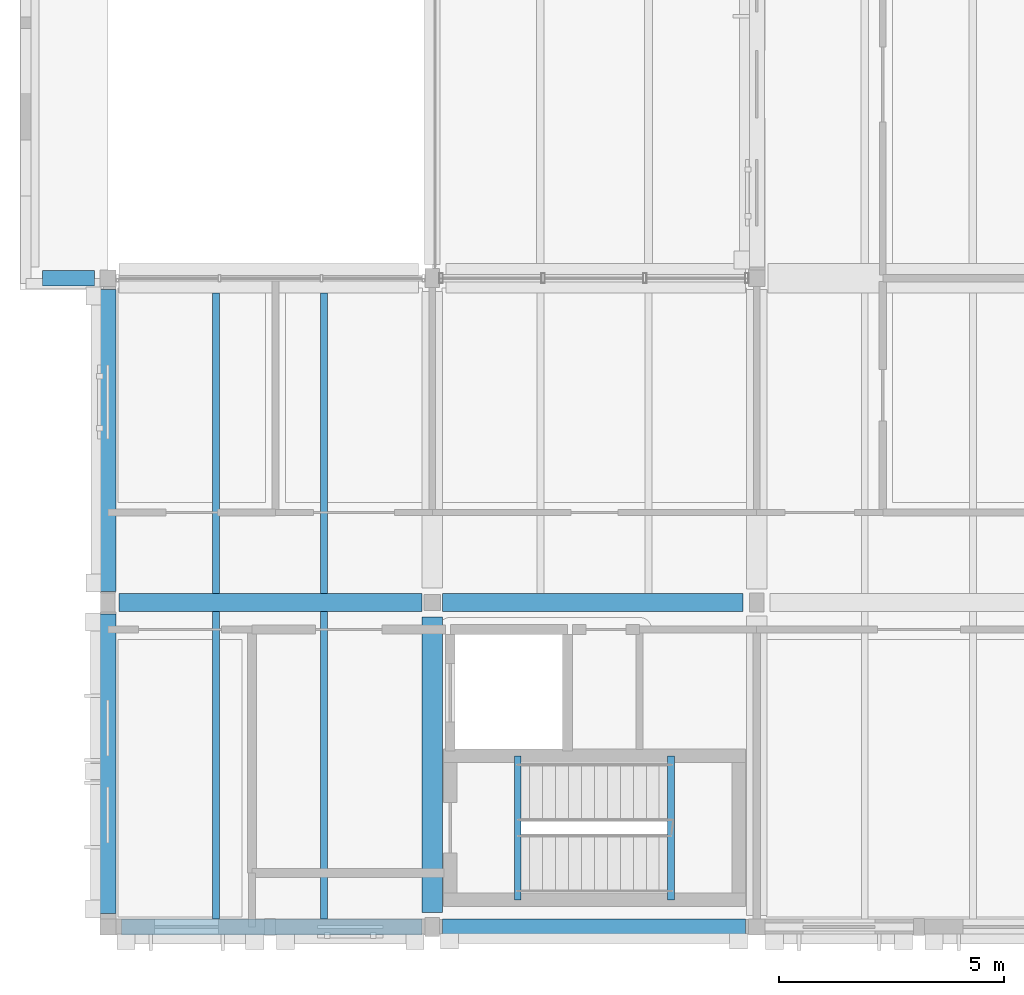
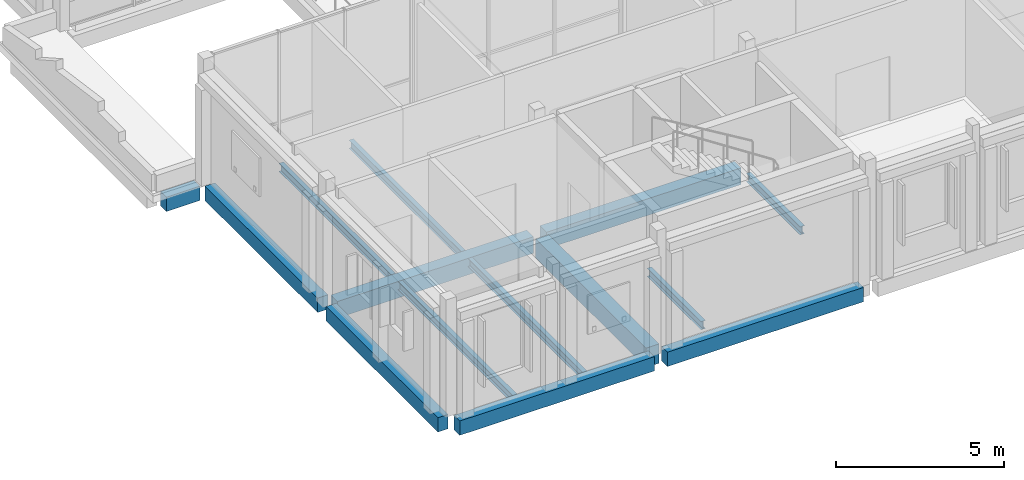
# One storey, part 15 of 146: 14 beams.
"""IFC4 building model written with IfcOpenShell, lengths in metres."""

from ifc_helpers import new_model, si_unit, direction, frame, origin, origin_2d, place, context, subcontext, project, spatial, rectangle, i_section, extrude, material, material_profile, profile_set, type_object, element, save


model = new_model("IFC4")

# Units and contexts
model_context = context("Model", 3, precision=1e-05, world=origin(), true_north=direction((0.0, 1.0)))
body_context = subcontext(model_context, "Body", "Model", "MODEL_VIEW")
ifc_project = project(units=[si_unit("LENGTHUNIT", "METRE"), si_unit("AREAUNIT", "SQUARE_METRE"), si_unit("VOLUMEUNIT", "CUBIC_METRE"), si_unit("PLANEANGLEUNIT", "RADIAN"), si_unit("MASSUNIT", "GRAM", prefix="KILO")], contexts=[model_context])

# Site, building, storey
site_placement = place(None, origin())
site = spatial("IfcSite", under=ifc_project, at=site_placement, CompositionType="ELEMENT")
building_placement = place(site_placement, origin())
building = spatial("IfcBuilding", under=site, at=building_placement, Name="Hawrajan Terrace Health Centre", CompositionType="ELEMENT")
storey_placement = place(building_placement, frame((0.0, 0.0, 4.5)))
storey = spatial("IfcBuildingStorey", under=building, at=storey_placement, Name="L01", CompositionType="ELEMENT", Elevation=4.5)

# Beams
ifc_material_1 = material(Name="Concrete C40/50", Category="concrete")
ifc_material_profile_1 = material_profile(ifc_material_1, rectangle(XDim=0.39990234375, YDim=0.60009765625, at=origin_2d()), Name="RC BM 400x600")
ifc_profile_set_1 = profile_set([ifc_material_profile_1], Name="Concrete C40/50")
beam_type_1 = type_object("IfcBeamType", Name="RCGirder_400x600", PredefinedType="BEAM", material=ifc_profile_set_1)
beam_1_placement = place(storey_placement, frame((4.85009765625, 11.39990234375, -0.60009765625), z_axis=(1.0, 0.0, 0.0), x_axis=(0.0, 1.0, 0.0)))
element("IfcBeam", 1, at=beam_1_placement, inside=storey, type_object=beam_type_1, Name="Beam BM-X-L01-W-01-Y2", PredefinedType="BEAM", context=body_context, shape_type="SweptSolid", body=[
    extrude(rectangle(XDim=0.39990234375, YDim=0.60009765625, at=origin_2d()), origin(), (0.0, 0.0, 1.0), 6.724853515625),
])
beam_2_placement = place(storey_placement, frame((12.02490234375, 11.39990234375, -0.60009765625), z_axis=(1.0, 0.0, 0.0), x_axis=(0.0, 1.0, 0.0)))
element("IfcBeam", 2, at=beam_2_placement, inside=storey, type_object=beam_type_1, Name="Beam BM-X-L01-W-02-Y2", PredefinedType="BEAM", context=body_context, shape_type="SweptSolid", body=[
    extrude(rectangle(XDim=0.39990234375, YDim=0.60009765625, at=origin_2d()), origin(), (0.0, 0.0, 1.0), 6.675048828125),
])
ifc_material_profile_2 = material_profile(ifc_material_1, rectangle(XDim=0.449951171875, YDim=0.699951171875, at=origin_2d()), Name="RC BM 450x700")
ifc_profile_set_2 = profile_set([ifc_material_profile_2], Name="Concrete C40/50")
beam_type_2 = type_object("IfcBeamType", Name="RCGirder_450x700", PredefinedType="BEAM", material=ifc_profile_set_2)
beam_3_placement = place(storey_placement, frame((11.800048828125, 4.52490234375, -0.64990234375), z_axis=(0.0, 1.0, 0.0), x_axis=(-1.0, 0.0, 0.0)))
element("IfcBeam", 3, at=beam_3_placement, inside=storey, type_object=beam_type_2, Name="Beam BM-Y-L01-W-X02-1", PredefinedType="BEAM", context=body_context, shape_type="SweptSolid", body=[
    extrude(rectangle(XDim=0.449951171875, YDim=0.699951171875, at=origin_2d()), origin(), (0.0, 0.0, 1.0), 6.550048828125),
])
ifc_material_profile_3 = material_profile(ifc_material_1, rectangle(XDim=0.35009765625, YDim=0.52001953125, at=origin_2d()), Name="RC SP 350x520")
ifc_profile_set_3 = profile_set([ifc_material_profile_3], Name="Concrete C40/50")
beam_type_3 = type_object("IfcBeamType", Name="RCSpandrel_350x520", PredefinedType="SPANDREL", material=ifc_profile_set_3)
beam_4_placement = place(storey_placement, frame((4.89990234375, 4.199951171875, -0.56005859375), z_axis=(1.0, 0.0, 0.0), x_axis=(0.0, 1.0, 0.0)))
element("IfcBeam", 4, at=beam_4_placement, inside=storey, type_object=beam_type_3, Name="Beam BM-X-L01-W-01-Y1", PredefinedType="SPANDREL", context=body_context, shape_type="SweptSolid", body=[
    extrude(rectangle(XDim=0.35009765625, YDim=0.52001953125, at=origin_2d()), origin(), (0.0, 0.0, 1.0), 6.675048828125),
])
beam_5_placement = place(storey_placement, frame((12.02490234375, 4.199951171875, -0.56005859375), z_axis=(1.0, 0.0, 0.0), x_axis=(0.0, 1.0, 0.0)))
element("IfcBeam", 5, at=beam_5_placement, inside=storey, type_object=beam_type_3, Name="Beam BM-X-L01-W-02-Y1", PredefinedType="SPANDREL", context=body_context, shape_type="SweptSolid", body=[
    extrude(rectangle(XDim=0.35009765625, YDim=0.52001953125, at=origin_2d()), origin(), (0.0, 0.0, 1.0), 6.72509765625),
])
beam_6_placement = place(storey_placement, frame((4.60009765625, 4.5, -0.56005859375), z_axis=(0.0, 1.0, 0.0), x_axis=(-1.0, 0.0, 0.0)))
element("IfcBeam", 6, at=beam_6_placement, inside=storey, type_object=beam_type_3, Name="Beam BM-Y-L01-W-X01-1", PredefinedType="SPANDREL", context=body_context, shape_type="SweptSolid", body=[
    extrude(rectangle(XDim=0.35009765625, YDim=0.52001953125, at=origin_2d()), origin(), (0.0, 0.0, 1.0), 6.64990234375),
])
beam_7_placement = place(storey_placement, frame((4.60009765625, 11.64990234375, -0.56005859375), z_axis=(0.0, 1.0, 0.0), x_axis=(-1.0, 0.0, 0.0)))
element("IfcBeam", 7, at=beam_7_placement, inside=storey, type_object=beam_type_3, Name="Beam BM-Y-L01-W-X01-2", PredefinedType="SPANDREL", context=body_context, shape_type="SweptSolid", body=[
    extrude(rectangle(XDim=0.35009765625, YDim=0.52001953125, at=origin_2d()), origin(), (0.0, 0.0, 1.0), 6.7001953125),
])
beam_8_placement = place(storey_placement, frame((3.14990234375, 18.60009765625, -0.56005859375), z_axis=(1.0, 0.0, 0.0), x_axis=(0.0, 1.0, 0.0)))
element("IfcBeam", 8, at=beam_8_placement, inside=storey, type_object=beam_type_3, Name="Portico side architrave beam 1", PredefinedType="SPANDREL", context=body_context, shape_type="SweptSolid", body=[
    extrude(rectangle(XDim=0.35009765625, YDim=0.52001953125, at=origin_2d()), origin(), (0.0, 0.0, 1.0), 1.150146484375),
])
ifc_material_2 = material(Name="Steel S355", Category="steel")
ifc_material_profile_4 = material_profile(ifc_material_2, i_section(OverallWidth=0.14990234375, OverallDepth=0.300048828125, WebThickness=0.007080078125, FlangeThickness=0.0107421875, FilletRadius=0.014892578125, at=origin_2d()), Name="IPE 300")
ifc_profile_set_4 = profile_set([ifc_material_profile_4], Name="Steel S355")
beam_type_4 = type_object("IfcBeamType", Name="SteelBeam_IPE300", PredefinedType="JOIST", material=ifc_profile_set_4)
for number, where, z_axis, x_axis, name in (
    (9, (7.0, 4.375, -0.449951171875), (0.0, 1.0, 0.0), (-1.0, 0.0, 0.0), "Secondary joist JST-L01-W-01-1-1"),
    (10, (9.39990234375, 4.375, -0.449951171875), (0.0, 1.0, 0.0), (-1.0, 0.0, 0.0), "Secondary joist JST-L01-W-01-1-2"),
):
    element("IfcBeam", number, at=place(storey_placement, frame(where, z_axis=z_axis, x_axis=x_axis)), inside=storey, type_object=beam_type_4, Name=name, PredefinedType="JOIST", context=body_context, shape_type="SweptSolid", body=[
        extrude(i_section(OverallWidth=0.14990234375, OverallDepth=0.300048828125, WebThickness=0.007080078125, FlangeThickness=0.0107421875, FilletRadius=0.014892578125, at=origin_2d()), origin(), (0.0, 0.0, 1.0), 6.824951171875),
    ])
for number, where, z_axis, x_axis, name in (
    (11, (7.0, 11.60009765625, -0.449951171875), (0.0, 1.0, 0.0), (-1.0, 0.0, 0.0), "Secondary joist JST-L01-W-01-2-1"),
    (12, (9.39990234375, 11.60009765625, -0.449951171875), (0.0, 1.0, 0.0), (-1.0, 0.0, 0.0), "Secondary joist JST-L01-W-01-2-2"),
):
    element("IfcBeam", number, at=place(storey_placement, frame(where, z_axis=z_axis, x_axis=x_axis)), inside=storey, type_object=beam_type_4, Name=name, PredefinedType="JOIST", context=body_context, shape_type="SweptSolid", body=[
        extrude(i_section(OverallWidth=0.14990234375, OverallDepth=0.300048828125, WebThickness=0.007080078125, FlangeThickness=0.0107421875, FilletRadius=0.014892578125, at=origin_2d()), origin(), (0.0, 0.0, 1.0), 6.6748046875),
    ])
for number, where, z_axis, x_axis, name in (
    (13, (13.699951171875, 4.800048828125, -0.3701171875), (0.0, 1.0, 0.0), (-1.0, 0.0, 0.0), "Stair landing trimmer ST-3-L01-B0"),
    (14, (17.10009765625, 4.800048828125, 1.8798828125), (0.0, 1.0, 0.0), (-1.0, 0.0, 0.0), "Stair half-landing trimmer ST-3-L01-B1"),
):
    element("IfcBeam", number, at=place(storey_placement, frame(where, z_axis=z_axis, x_axis=x_axis)), inside=storey, type_object=beam_type_4, Name=name, PredefinedType="JOIST", context=body_context, shape_type="SweptSolid", body=[
        extrude(i_section(OverallWidth=0.14990234375, OverallDepth=0.300048828125, WebThickness=0.007080078125, FlangeThickness=0.0107421875, FilletRadius=0.014892578125, at=origin_2d()), origin(), (0.0, 0.0, 1.0), 3.199951171875),
    ])

save(model, "model.ifc")
